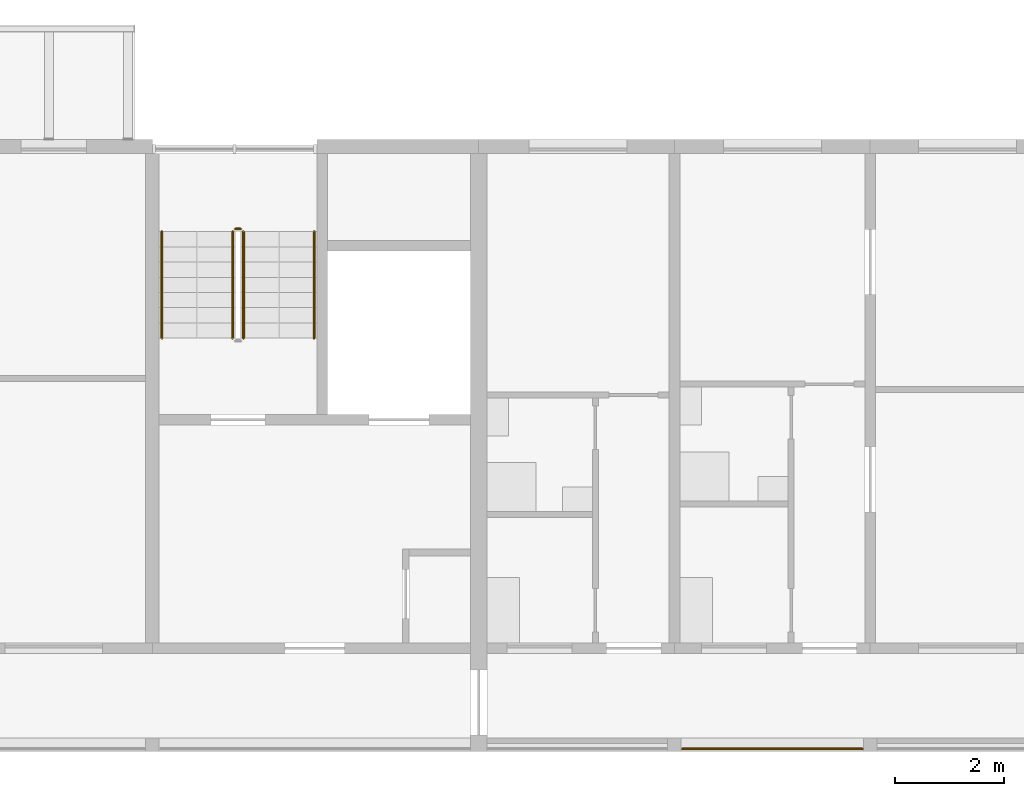
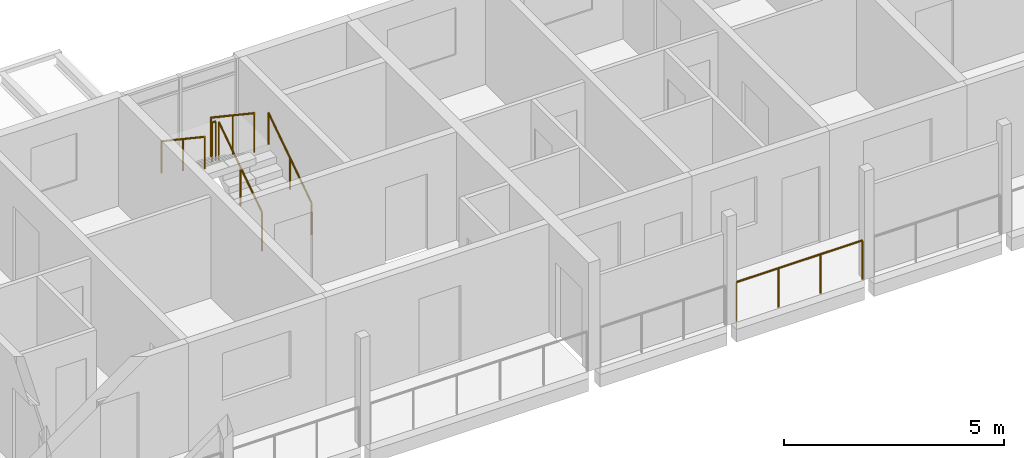
# One storey, part 79 of 87: 6 railings.
"""IFC4 building model written with IfcOpenShell, lengths in metres."""

from ifc_helpers import new_model, si_unit, direction, frame, origin, origin_2d, place, context, subcontext, project, spatial, circle, extrude, material, type_object, element, save


model = new_model("IFC4")

# Units and contexts
model_context = context("Model", 3, precision=1e-05, world=origin(), true_north=direction((0.0, 1.0)))
body_context = subcontext(model_context, "Body", "Model", "MODEL_VIEW")
ifc_project = project(units=[si_unit("LENGTHUNIT", "METRE"), si_unit("AREAUNIT", "SQUARE_METRE"), si_unit("VOLUMEUNIT", "CUBIC_METRE"), si_unit("PLANEANGLEUNIT", "RADIAN"), si_unit("MASSUNIT", "GRAM", prefix="KILO")], contexts=[model_context])

# Site, building, storey
site_placement = place(None, origin())
site = spatial("IfcSite", under=ifc_project, at=site_placement, CompositionType="ELEMENT")
building_placement = place(site_placement, origin())
building = spatial("IfcBuilding", under=site, at=building_placement, Name="Ridgestep Commons", CompositionType="ELEMENT")
storey_placement = place(building_placement, frame((0.0, 0.0, 27.0)))
storey = spatial("IfcBuildingStorey", under=building, at=storey_placement, Name="L09", CompositionType="ELEMENT", Elevation=27.0)

# Railings
ifc_material_1 = material(Name="Structural steel S355JR", Category="steel")
railing_type_1 = type_object("IfcRailingType", Name="Guard 1100", PredefinedType="GUARDRAIL", material=ifc_material_1)
railing_1_placement = place(storey_placement, frame((200.946044921875, 11.800048828125, 0.0)))
element("IfcRailing", 1, at=railing_1_placement, inside=storey, type_object=railing_type_1, Name="Gallery guard D 09.14", PredefinedType="GUARDRAIL", context=body_context, shape_type="SweptSolid", body=[
    extrude(circle(Radius=0.02392578125, at=origin_2d()), frame((0.0, 0.0, 1.076171875), z_axis=(1.0, 0.0, 0.0), x_axis=(0.0, 1.0, 0.0)), (0.0, 0.0, 1.0), 3.307861328125),
    extrude(circle(Radius=0.02099609375, at=origin_2d()), origin(), (0.0, 0.0, 1.0), 1.052001953125),
    extrude(circle(Radius=0.02099609375, at=origin_2d()), frame((1.1025390625, 0.0, 0.0)), (0.0, 0.0, 1.0), 1.052001953125),
    extrude(circle(Radius=0.02099609375, at=origin_2d()), frame((2.205322265625, 0.0, 0.0)), (0.0, 0.0, 1.0), 1.052001953125),
    extrude(circle(Radius=0.02099609375, at=origin_2d()), frame((3.307861328125, 0.0, 0.0)), (0.0, 0.0, 1.0), 1.052001953125),
])
ifc_material_2 = material(Name="Structural steel S355JR", Category="steel")
railing_type_2 = type_object("IfcRailingType", Name="Stair guard 1100", PredefinedType="GUARDRAIL", material=ifc_material_2)
railing_2_placement = place(storey_placement, frame((192.875, 19.35009765625, 0.1875)))
element("IfcRailing", 2, at=railing_2_placement, inside=storey, type_object=railing_type_2, Name="L09 D3C stair guard 1", PredefinedType="GUARDRAIL", context=body_context, shape_type="SweptSolid", body=[
    extrude(circle(Radius=0.02392578125, at=origin_2d()), frame((0.0, 0.0, 1.076171875), z_axis=(0.0, 0.830902050051, 0.556418712142), x_axis=(-1.0, 0.0, 0.0)), (0.0, 0.0, 1.0), 2.35888671875),
    extrude(circle(Radius=0.02099609375, at=origin_2d()), origin(), (0.0, 0.0, 1.0), 1.052001953125),
    extrude(circle(Radius=0.02099609375, at=origin_2d()), frame((0.0, 0.97998046875, 0.65625)), (0.0, 0.0, 1.0), 1.052001953125),
    extrude(circle(Radius=0.02099609375, at=origin_2d()), frame((0.0, 1.9599609375, 1.3125)), (0.0, 0.0, 1.0), 1.052001953125),
])
railing_3_placement = place(storey_placement, frame((192.824951171875, 21.360107421875, 1.5)))
element("IfcRailing", 3, at=railing_3_placement, inside=storey, type_object=railing_type_2, Name="L09 D3C stair guard 2", PredefinedType="GUARDRAIL", context=body_context, shape_type="SweptSolid", body=[
    extrude(circle(Radius=0.02392578125, at=origin_2d()), frame((0.0, 0.0, 1.076171875), z_axis=(-1.0, 0.0, 0.0), x_axis=(0.0, -1.0, 0.0)), (0.0, 0.0, 1.0), 0.099853515625),
    extrude(circle(Radius=0.02099609375, at=origin_2d()), origin(), (0.0, 0.0, 1.0), 1.052001953125),
    extrude(circle(Radius=0.02099609375, at=origin_2d()), frame((-0.099853515625, 0.0, 0.0)), (0.0, 0.0, 1.0), 1.052001953125),
])
railing_4_placement = place(storey_placement, frame((192.675048828125, 21.31005859375, 1.6875)))
element("IfcRailing", 4, at=railing_4_placement, inside=storey, type_object=railing_type_2, Name="L09 D3C stair guard 3", PredefinedType="GUARDRAIL", context=body_context, shape_type="SweptSolid", body=[
    extrude(circle(Radius=0.02392578125, at=origin_2d()), frame((0.0, 0.0, 1.076171875), z_axis=(0.0, -0.830902050051, 0.556418712142), x_axis=(1.0, 0.0, 0.0)), (0.0, 0.0, 1.0), 2.35888671875),
    extrude(circle(Radius=0.02099609375, at=origin_2d()), origin(), (0.0, 0.0, 1.0), 1.052001953125),
    extrude(circle(Radius=0.02099609375, at=origin_2d()), frame((0.0, -0.97998046875, 0.65625)), (0.0, 0.0, 1.0), 1.052001953125),
    extrude(circle(Radius=0.02099609375, at=origin_2d()), frame((0.0, -1.9599609375, 1.3125)), (0.0, 0.0, 1.0), 1.052001953125),
])
ifc_material_3 = material(Name="Structural steel S355JR", Category="steel")
railing_type_3 = type_object("IfcRailingType", Name="Stair handrail 900", PredefinedType="HANDRAIL", material=ifc_material_3)
railing_5_placement = place(storey_placement, frame((194.175048828125, 19.35009765625, 0.1875)))
element("IfcRailing", 5, at=railing_5_placement, inside=storey, type_object=railing_type_3, Name="L09 D3C stair handrail 1", PredefinedType="HANDRAIL", context=body_context, shape_type="SweptSolid", body=[
    extrude(circle(Radius=0.02392578125, at=origin_2d()), frame((0.0, 0.0, 0.8759765625), z_axis=(0.0, 0.830902050051, 0.556418712142), x_axis=(-1.0, 0.0, 0.0)), (0.0, 0.0, 1.0), 2.35888671875),
    extrude(circle(Radius=0.02099609375, at=origin_2d()), origin(), (0.0, 0.0, 1.0), 0.851806640625),
    extrude(circle(Radius=0.02099609375, at=origin_2d()), frame((0.0, 0.97998046875, 0.65625)), (0.0, 0.0, 1.0), 0.851806640625),
    extrude(circle(Radius=0.02099609375, at=origin_2d()), frame((0.0, 1.9599609375, 1.3125)), (0.0, 0.0, 1.0), 0.851806640625),
])
railing_6_placement = place(storey_placement, frame((191.375, 21.31005859375, 1.6875)))
element("IfcRailing", 6, at=railing_6_placement, inside=storey, type_object=railing_type_3, Name="L09 D3C stair handrail 2", PredefinedType="HANDRAIL", context=body_context, shape_type="SweptSolid", body=[
    extrude(circle(Radius=0.02392578125, at=origin_2d()), frame((0.0, 0.0, 0.8759765625), z_axis=(0.0, -0.830902050051, 0.556418712142), x_axis=(1.0, 0.0, 0.0)), (0.0, 0.0, 1.0), 2.35888671875),
    extrude(circle(Radius=0.02099609375, at=origin_2d()), origin(), (0.0, 0.0, 1.0), 0.851806640625),
    extrude(circle(Radius=0.02099609375, at=origin_2d()), frame((0.0, -0.97998046875, 0.65625)), (0.0, 0.0, 1.0), 0.851806640625),
    extrude(circle(Radius=0.02099609375, at=origin_2d()), frame((0.0, -1.9599609375, 1.3125)), (0.0, 0.0, 1.0), 0.851806640625),
])

save(model, "model.ifc")
